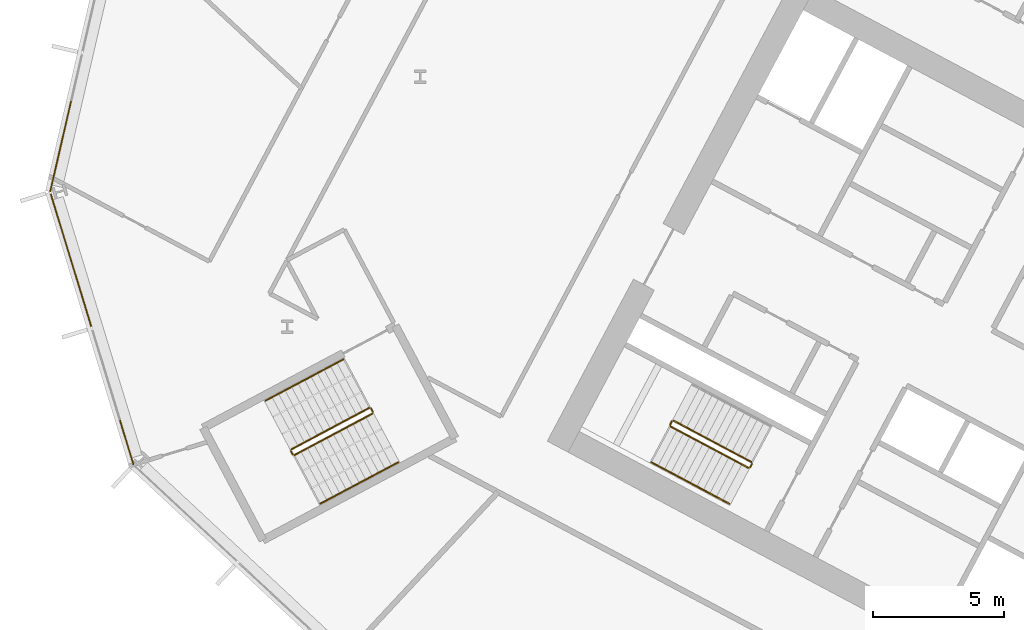
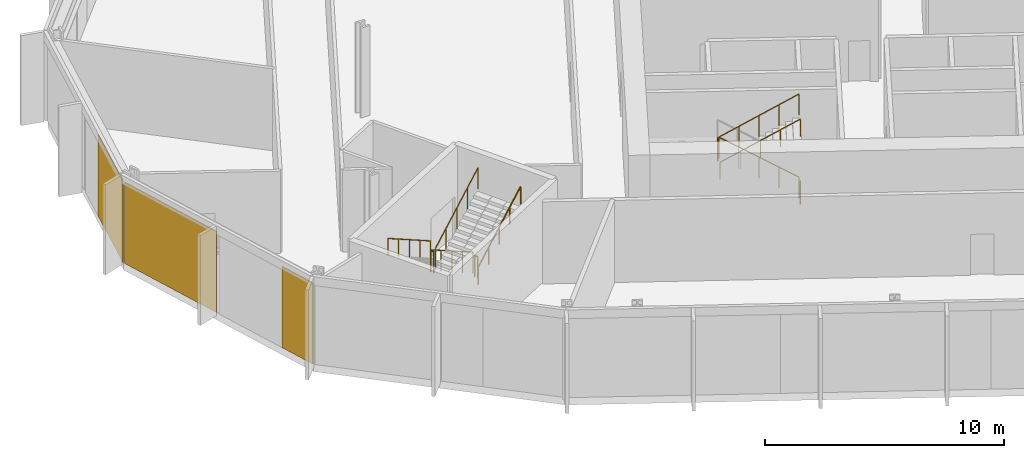
# One storey, part 23 of 31: 11 railings, 3 coverings, 2 elements without a shape of their own.
"""IFC4 building model written with IfcOpenShell, lengths in metres."""

from ifc_helpers import new_model, si_unit, direction, frame, origin, origin_2d, place, context, subcontext, project, spatial, polyline, rectangle, outline, extrude, material, layer, layer_set, type_object, element, aggregate, save


model = new_model("IFC4")

# Units and contexts
model_context = context("Model", 3, precision=1e-05, world=origin(), true_north=direction((0.0, 1.0)))
body_context = subcontext(model_context, "Body", "Model", "MODEL_VIEW")
ifc_project = project(units=[si_unit("LENGTHUNIT", "METRE"), si_unit("AREAUNIT", "SQUARE_METRE"), si_unit("VOLUMEUNIT", "CUBIC_METRE"), si_unit("PLANEANGLEUNIT", "RADIAN"), si_unit("MASSUNIT", "GRAM", prefix="KILO")], contexts=[model_context])

# Site, building, storey
site_placement = place(None, origin())
site = spatial("IfcSite", under=ifc_project, at=site_placement, CompositionType="ELEMENT")
building_placement = place(site_placement, origin())
building = spatial("IfcBuilding", under=site, at=building_placement, Name="Cormorant Relay Tower", CompositionType="ELEMENT")
storey_placement = place(building_placement, frame((0.0, 0.0, 103.0)))
storey = spatial("IfcBuildingStorey", under=building, at=storey_placement, Name="L20", CompositionType="ELEMENT", Elevation=103.0)

# Curtain wall, covering
ifc_material_1 = material(Name="Aluminium 6063-T6 anodised bronze", Category="aluminium")
ifc_layer_1 = layer(ifc_material_1, 0.199951171875)
ifc_layer_set_1 = layer_set([ifc_layer_1], Name="CW1 unitised bronze curtain wall with vertical fins")
curtain_wall_type = type_object("IfcCurtainWallType", Name="CW1 unitised bronze curtain wall with vertical fins", PredefinedType="NOTDEFINED", material=ifc_layer_set_1)
curtain_wall_1_placement = place(storey_placement, origin())
curtain_wall_1 = element("IfcCurtainWall", 1, at=curtain_wall_1_placement, inside=storey, type_object=curtain_wall_type, Name="CW1 curtain wall 11", PredefinedType="NOTDEFINED")
ifc_material_2 = material(Name="Pale bronze anodised aluminium insulated panel", Category="aluminium")
ifc_layer_2 = layer(ifc_material_2, 0.0400390625)
ifc_layer_set_2 = layer_set([ifc_layer_2], Name="CW1 pale bronze insulated panel 40")
covering_type = type_object("IfcCoveringType", Name="CW1 pale bronze insulated panel 40", PredefinedType="CLADDING", material=ifc_layer_set_2)
covering_1_placement = place(storey_placement, frame((-60.3388671875, 22.13232421875, 0.0), z_axis=(0.0, 0.0, 1.0), x_axis=(-0.224951054344, -0.974370064785, 0.0)))
covering_1 = element("IfcCovering", 2, at=covering_1_placement, type_object=covering_type, Name="CW1 panel S02", PredefinedType="CLADDING", context=body_context, shape_type="SweptSolid", body=[
    extrude(rectangle(XDim=3.560302734375, YDim=0.0400390625, at=origin_2d()), origin(), (0.0, 0.0, 1.0), 4.14990234375),
])
aggregate(curtain_wall_1, [covering_1])

# Curtain wall, coverings
curtain_wall_2_placement = place(storey_placement, origin())
curtain_wall_2 = element("IfcCurtainWall", 3, at=curtain_wall_2_placement, inside=storey, type_object=curtain_wall_type, Name="CW1 curtain wall 12", PredefinedType="NOTDEFINED")
covering_2_placement = place(storey_placement, frame((-59.9443359375, 17.78857421875, 0.0), z_axis=(0.0, 0.0, 1.0), x_axis=(0.292371704723, -0.956304755963, 0.0)))
covering_2 = element("IfcCovering", 4, at=covering_2_placement, type_object=covering_type, Name="CW1 panel S00", PredefinedType="CLADDING", context=body_context, shape_type="SweptSolid", body=[
    extrude(rectangle(XDim=5.28515625, YDim=0.0400390625, at=origin_2d()), origin(), (0.0, 0.0, 1.0), 4.14990234375),
])
covering_3_placement = place(storey_placement, frame((-57.818115234375, 10.833740234375, 0.0), z_axis=(0.0, 0.0, 1.0), x_axis=(0.292371704723, -0.956304755963, 0.0)))
covering_3 = element("IfcCovering", 5, at=covering_3_placement, type_object=covering_type, Name="CW1 panel S02", PredefinedType="CLADDING", context=body_context, shape_type="SweptSolid", body=[
    extrude(rectangle(XDim=1.76025390625, YDim=0.0400390625, at=origin_2d()), origin(), (0.0, 0.0, 1.0), 4.14990234375),
])
aggregate(curtain_wall_2, [covering_2, covering_3])

# Railings
ifc_material_3 = material(Name="Steel ASTM A572 Grade 50 (Fy 345 MPa)", Category="steel")
railing_type_1 = type_object("IfcRailingType", Name="Stair guard 1100", PredefinedType="GUARDRAIL", material=ifc_material_3)
railing_1_placement = place(storey_placement, frame((-33.9921875, 10.08935546875, 0.177001953125)))
element("IfcRailing", 6, at=railing_1_placement, inside=storey, type_object=railing_type_1, Name="L20 A2 stair guard 1", PredefinedType="GUARDRAIL", context=body_context, shape_type="SweptSolid", body=[
    extrude(outline(polyline([(0.022216796875, 0.00927734375), (0.00927734375, 0.022216796875), (-0.00927734375, 0.022216796875), (-0.022216796875, 0.00927734375), (-0.022216796875, -0.00927734375), (-0.00927734375, -0.022216796875), (0.00927734375, -0.022216796875), (0.022216796875, -0.00927734375), (0.022216796875, 0.00927734375)])), frame((0.0, 0.0, 1.076171875), z_axis=(-0.746440668329, 0.396869088057, 0.534154711306), x_axis=(-0.46945269911, -0.882957622595, 0.0)), (0.0, 0.0, 1.0), 3.974609375),
    extrude(outline(polyline([(0.019287109375, 0.008056640625), (0.008056640625, 0.019287109375), (-0.008056640625, 0.019287109375), (-0.019287109375, 0.008056640625), (-0.019287109375, -0.008056640625), (-0.008056640625, -0.019287109375), (0.008056640625, -0.019287109375), (0.019287109375, -0.008056640625), (0.019287109375, 0.008056640625)])), origin(), (0.0, 0.0, 1.0), 1.052001953125),
    extrude(outline(polyline([(0.019287109375, 0.008056640625), (0.008056640625, 0.019287109375), (-0.008056640625, 0.019287109375), (-0.019287109375, 0.008056640625), (-0.019287109375, -0.008056640625), (-0.008056640625, -0.019287109375), (0.008056640625, -0.019287109375), (0.019287109375, -0.008056640625), (0.019287109375, 0.008056640625)])), frame((-0.74169921875, 0.394287109375, 0.53076171875)), (0.0, 0.0, 1.0), 1.052001953125),
    extrude(outline(polyline([(0.019287109375, 0.008056640625), (0.008056640625, 0.019287109375), (-0.008056640625, 0.019287109375), (-0.019287109375, 0.008056640625), (-0.019287109375, -0.008056640625), (-0.008056640625, -0.019287109375), (0.008056640625, -0.019287109375), (0.019287109375, -0.008056640625), (0.019287109375, 0.008056640625)])), frame((-1.4833984375, 0.78857421875, 1.0615234375)), (0.0, 0.0, 1.0), 1.052001953125),
    extrude(outline(polyline([(0.019287109375, 0.008056640625), (0.008056640625, 0.019287109375), (-0.008056640625, 0.019287109375), (-0.019287109375, 0.008056640625), (-0.019287109375, -0.008056640625), (-0.008056640625, -0.019287109375), (0.008056640625, -0.019287109375), (0.019287109375, -0.008056640625), (0.019287109375, 0.008056640625)])), frame((-2.22509765625, 1.18310546875, 1.59228515625)), (0.0, 0.0, 1.0), 1.052001953125),
    extrude(outline(polyline([(0.019287109375, 0.008056640625), (0.008056640625, 0.019287109375), (-0.008056640625, 0.019287109375), (-0.019287109375, 0.008056640625), (-0.019287109375, -0.008056640625), (-0.008056640625, -0.019287109375), (0.008056640625, -0.019287109375), (0.019287109375, -0.008056640625), (0.019287109375, 0.008056640625)])), frame((-2.966796875, 1.577392578125, 2.123046875)), (0.0, 0.0, 1.0), 1.052001953125),
])
railing_2_placement = place(storey_placement, frame((-37.026611328125, 11.64599609375, 2.300048828125)))
element("IfcRailing", 7, at=railing_2_placement, inside=storey, type_object=railing_type_1, Name="L20 A2 stair guard 2", PredefinedType="GUARDRAIL", context=body_context, shape_type="SweptSolid", body=[
    extrude(outline(polyline([(0.022216796875, 0.00927734375), (0.00927734375, 0.022216796875), (-0.00927734375, 0.022216796875), (-0.022216796875, 0.00927734375), (-0.022216796875, -0.00927734375), (-0.00927734375, -0.022216796875), (0.00927734375, -0.022216796875), (0.022216796875, -0.00927734375), (0.022216796875, 0.00927734375)])), frame((0.0, 0.0, 1.076171875), z_axis=(-0.469234640946, -0.883073525669, 0.0), x_axis=(0.883073525669, -0.469234640946, 0.0)), (0.0, 0.0, 1.0), 0.14990234375),
    extrude(outline(polyline([(0.019287109375, 0.008056640625), (0.008056640625, 0.019287109375), (-0.008056640625, 0.019287109375), (-0.019287109375, 0.008056640625), (-0.019287109375, -0.008056640625), (-0.008056640625, -0.019287109375), (0.008056640625, -0.019287109375), (0.019287109375, -0.008056640625), (0.019287109375, 0.008056640625)])), origin(), (0.0, 0.0, 1.0), 1.052001953125),
    extrude(outline(polyline([(0.019287109375, 0.008056640625), (0.008056640625, 0.019287109375), (-0.008056640625, 0.019287109375), (-0.019287109375, 0.008056640625), (-0.019287109375, -0.008056640625), (-0.008056640625, -0.019287109375), (0.008056640625, -0.019287109375), (0.019287109375, -0.008056640625), (0.019287109375, 0.008056640625)])), frame((-0.0703125, -0.13232421875, 0.0)), (0.0, 0.0, 1.0), 1.052001953125),
])
railing_3_placement = place(storey_placement, frame((-37.076171875, 11.446044921875, 2.476806640625)))
element("IfcRailing", 8, at=railing_3_placement, inside=storey, type_object=railing_type_1, Name="L20 A2 stair guard 3", PredefinedType="GUARDRAIL", context=body_context, shape_type="SweptSolid", body=[
    extrude(outline(polyline([(0.022216796875, 0.00927734375), (0.00927734375, 0.022216796875), (-0.00927734375, 0.022216796875), (-0.022216796875, 0.00927734375), (-0.022216796875, -0.00927734375), (-0.00927734375, -0.022216796875), (0.00927734375, -0.022216796875), (0.022216796875, -0.00927734375), (0.022216796875, 0.00927734375)])), frame((0.0, 0.0, 1.076171875), z_axis=(0.746388972956, -0.396874261729, 0.534223100798), x_axis=(0.469482818608, 0.88294160794, 0.0)), (0.0, 0.0, 1.0), 3.974609375),
    extrude(outline(polyline([(0.019287109375, 0.008056640625), (0.008056640625, 0.019287109375), (-0.008056640625, 0.019287109375), (-0.019287109375, 0.008056640625), (-0.019287109375, -0.008056640625), (-0.008056640625, -0.019287109375), (0.008056640625, -0.019287109375), (0.019287109375, -0.008056640625), (0.019287109375, 0.008056640625)])), origin(), (0.0, 0.0, 1.0), 1.052001953125),
    extrude(outline(polyline([(0.019287109375, 0.008056640625), (0.008056640625, 0.019287109375), (-0.008056640625, 0.019287109375), (-0.019287109375, 0.008056640625), (-0.019287109375, -0.008056640625), (-0.008056640625, -0.019287109375), (0.008056640625, -0.019287109375), (0.019287109375, -0.008056640625), (0.019287109375, 0.008056640625)])), frame((0.74169921875, -0.394287109375, 0.53076171875)), (0.0, 0.0, 1.0), 1.052001953125),
    extrude(outline(polyline([(0.019287109375, 0.008056640625), (0.008056640625, 0.019287109375), (-0.008056640625, 0.019287109375), (-0.019287109375, 0.008056640625), (-0.019287109375, -0.008056640625), (-0.008056640625, -0.019287109375), (0.008056640625, -0.019287109375), (0.019287109375, -0.008056640625), (0.019287109375, 0.008056640625)])), frame((1.4833984375, -0.78857421875, 1.0615234375)), (0.0, 0.0, 1.0), 1.052001953125),
    extrude(outline(polyline([(0.019287109375, 0.008056640625), (0.008056640625, 0.019287109375), (-0.008056640625, 0.019287109375), (-0.019287109375, 0.008056640625), (-0.019287109375, -0.008056640625), (-0.008056640625, -0.019287109375), (0.008056640625, -0.019287109375), (0.019287109375, -0.008056640625), (0.019287109375, 0.008056640625)])), frame((2.224853515625, -1.18310546875, 1.592529296875)), (0.0, 0.0, 1.0), 1.052001953125),
    extrude(outline(polyline([(0.019287109375, 0.008056640625), (0.008056640625, 0.019287109375), (-0.008056640625, 0.019287109375), (-0.019287109375, 0.008056640625), (-0.019287109375, -0.008056640625), (-0.008056640625, -0.019287109375), (0.008056640625, -0.019287109375), (0.019287109375, -0.008056640625), (0.019287109375, 0.008056640625)])), frame((2.966552734375, -1.577392578125, 2.123291015625)), (0.0, 0.0, 1.0), 1.052001953125),
])
railing_4_placement = place(storey_placement, frame((-33.971435546875, 10.021728515625, 0.0)))
element("IfcRailing", 9, at=railing_4_placement, inside=storey, type_object=railing_type_1, Name="L20 A2 stair guard 4", PredefinedType="GUARDRAIL", context=body_context, shape_type="SweptSolid", body=[
    extrude(outline(polyline([(0.022216796875, 0.00927734375), (0.00927734375, 0.022216796875), (-0.00927734375, 0.022216796875), (-0.022216796875, 0.00927734375), (-0.022216796875, -0.00927734375), (-0.00927734375, -0.022216796875), (0.00927734375, -0.022216796875), (0.022216796875, -0.00927734375), (0.022216796875, 0.00927734375)])), frame((0.0, 0.0, 1.076171875), z_axis=(-0.470503732759, -0.882398003998, 0.0), x_axis=(0.882398003998, -0.470503732759, 0.0)), (0.0, 0.0, 1.0), 0.14990234375),
    extrude(outline(polyline([(0.019287109375, 0.008056640625), (0.008056640625, 0.019287109375), (-0.008056640625, 0.019287109375), (-0.019287109375, 0.008056640625), (-0.019287109375, -0.008056640625), (-0.008056640625, -0.019287109375), (0.008056640625, -0.019287109375), (0.019287109375, -0.008056640625), (0.019287109375, 0.008056640625)])), origin(), (0.0, 0.0, 1.0), 1.052001953125),
    extrude(outline(polyline([(0.019287109375, 0.008056640625), (0.008056640625, 0.019287109375), (-0.008056640625, 0.019287109375), (-0.019287109375, 0.008056640625), (-0.019287109375, -0.008056640625), (-0.008056640625, -0.019287109375), (0.008056640625, -0.019287109375), (0.019287109375, -0.008056640625), (0.019287109375, 0.008056640625)])), frame((-0.070556640625, -0.13232421875, 0.0)), (0.0, 0.0, 1.0), 1.052001953125),
])
railing_5_placement = place(storey_placement, frame((-48.5693359375, 12.155517578125, 0.177001953125)))
element("IfcRailing", 10, at=railing_5_placement, inside=storey, type_object=railing_type_1, Name="L20 RP1 stair guard 1", PredefinedType="GUARDRAIL", context=body_context, shape_type="SweptSolid", body=[
    extrude(outline(polyline([(0.022216796875, 0.00927734375), (0.00927734375, 0.022216796875), (-0.00927734375, 0.022216796875), (-0.022216796875, 0.00927734375), (-0.022216796875, -0.00927734375), (-0.00927734375, -0.022216796875), (0.00927734375, -0.022216796875), (0.022216796875, -0.00927734375), (0.022216796875, 0.00927734375)])), frame((0.0, 0.0, 1.076171875), z_axis=(-0.746422470992, -0.396920836698, 0.534141689248), x_axis=(0.469509342547, -0.882927503967, 0.0)), (0.0, 0.0, 1.0), 3.974609375),
    extrude(outline(polyline([(0.019287109375, 0.008056640625), (0.008056640625, 0.019287109375), (-0.008056640625, 0.019287109375), (-0.019287109375, 0.008056640625), (-0.019287109375, -0.008056640625), (-0.008056640625, -0.019287109375), (0.008056640625, -0.019287109375), (0.019287109375, -0.008056640625), (0.019287109375, 0.008056640625)])), origin(), (0.0, 0.0, 1.0), 1.052001953125),
    extrude(outline(polyline([(0.019287109375, 0.008056640625), (0.008056640625, 0.019287109375), (-0.008056640625, 0.019287109375), (-0.019287109375, 0.008056640625), (-0.019287109375, -0.008056640625), (-0.008056640625, -0.019287109375), (0.008056640625, -0.019287109375), (0.019287109375, -0.008056640625), (0.019287109375, 0.008056640625)])), frame((-0.74169921875, -0.39453125, 0.53076171875)), (0.0, 0.0, 1.0), 1.052001953125),
    extrude(outline(polyline([(0.019287109375, 0.008056640625), (0.008056640625, 0.019287109375), (-0.008056640625, 0.019287109375), (-0.019287109375, 0.008056640625), (-0.019287109375, -0.008056640625), (-0.008056640625, -0.019287109375), (0.008056640625, -0.019287109375), (0.019287109375, -0.008056640625), (0.019287109375, 0.008056640625)])), frame((-1.4833984375, -0.788818359375, 1.0615234375)), (0.0, 0.0, 1.0), 1.052001953125),
    extrude(outline(polyline([(0.019287109375, 0.008056640625), (0.008056640625, 0.019287109375), (-0.008056640625, 0.019287109375), (-0.019287109375, 0.008056640625), (-0.019287109375, -0.008056640625), (-0.008056640625, -0.019287109375), (0.008056640625, -0.019287109375), (0.019287109375, -0.008056640625), (0.019287109375, 0.008056640625)])), frame((-2.22509765625, -1.18310546875, 1.59228515625)), (0.0, 0.0, 1.0), 1.052001953125),
    extrude(outline(polyline([(0.019287109375, 0.008056640625), (0.008056640625, 0.019287109375), (-0.008056640625, 0.019287109375), (-0.019287109375, 0.008056640625), (-0.019287109375, -0.008056640625), (-0.008056640625, -0.019287109375), (0.008056640625, -0.019287109375), (0.019287109375, -0.008056640625), (0.019287109375, 0.008056640625)])), frame((-2.966796875, -1.57763671875, 2.123046875)), (0.0, 0.0, 1.0), 1.052001953125),
])
railing_6_placement = place(storey_placement, frame((-51.556640625, 10.51025390625, 2.300048828125)))
element("IfcRailing", 11, at=railing_6_placement, inside=storey, type_object=railing_type_1, Name="L20 RP1 stair guard 2", PredefinedType="GUARDRAIL", context=body_context, shape_type="SweptSolid", body=[
    extrude(outline(polyline([(0.022216796875, 0.00927734375), (0.00927734375, 0.022216796875), (-0.00927734375, 0.022216796875), (-0.022216796875, 0.00927734375), (-0.022216796875, -0.00927734375), (-0.00927734375, -0.022216796875), (0.00927734375, -0.022216796875), (0.022216796875, -0.00927734375), (0.022216796875, 0.00927734375)])), frame((0.0, 0.0, 1.076171875), z_axis=(0.469234640946, -0.883073525669, 0.0), x_axis=(0.883073525669, 0.469234640946, 0.0)), (0.0, 0.0, 1.0), 0.14990234375),
    extrude(outline(polyline([(0.019287109375, 0.008056640625), (0.008056640625, 0.019287109375), (-0.008056640625, 0.019287109375), (-0.019287109375, 0.008056640625), (-0.019287109375, -0.008056640625), (-0.008056640625, -0.019287109375), (0.008056640625, -0.019287109375), (0.019287109375, -0.008056640625), (0.019287109375, 0.008056640625)])), origin(), (0.0, 0.0, 1.0), 1.052001953125),
    extrude(outline(polyline([(0.019287109375, 0.008056640625), (0.008056640625, 0.019287109375), (-0.008056640625, 0.019287109375), (-0.019287109375, 0.008056640625), (-0.019287109375, -0.008056640625), (-0.008056640625, -0.019287109375), (0.008056640625, -0.019287109375), (0.019287109375, -0.008056640625), (0.019287109375, 0.008056640625)])), frame((0.0703125, -0.13232421875, 0.0)), (0.0, 0.0, 1.0), 1.052001953125),
])
railing_7_placement = place(storey_placement, frame((-51.418701171875, 10.357177734375, 2.476806640625)))
element("IfcRailing", 12, at=railing_7_placement, inside=storey, type_object=railing_type_1, Name="L20 RP1 stair guard 3", PredefinedType="GUARDRAIL", context=body_context, shape_type="SweptSolid", body=[
    extrude(outline(polyline([(0.022216796875, 0.00927734375), (0.00927734375, 0.022216796875), (-0.00927734375, 0.022216796875), (-0.022216796875, 0.00927734375), (-0.022216796875, -0.00927734375), (-0.00927734375, -0.022216796875), (0.00927734375, -0.022216796875), (0.022216796875, -0.00927734375), (0.022216796875, 0.00927734375)])), frame((0.0, 0.0, 1.076171875), z_axis=(0.746416176936, 0.396856066424, 0.534198608526), x_axis=(-0.46945269911, 0.882957622595, 0.0)), (0.0, 0.0, 1.0), 3.974609375),
    extrude(outline(polyline([(0.019287109375, 0.008056640625), (0.008056640625, 0.019287109375), (-0.008056640625, 0.019287109375), (-0.019287109375, 0.008056640625), (-0.019287109375, -0.008056640625), (-0.008056640625, -0.019287109375), (0.008056640625, -0.019287109375), (0.019287109375, -0.008056640625), (0.019287109375, 0.008056640625)])), origin(), (0.0, 0.0, 1.0), 1.052001953125),
    extrude(outline(polyline([(0.019287109375, 0.008056640625), (0.008056640625, 0.019287109375), (-0.008056640625, 0.019287109375), (-0.019287109375, 0.008056640625), (-0.019287109375, -0.008056640625), (-0.008056640625, -0.019287109375), (0.008056640625, -0.019287109375), (0.019287109375, -0.008056640625), (0.019287109375, 0.008056640625)])), frame((0.74169921875, 0.394287109375, 0.53076171875)), (0.0, 0.0, 1.0), 1.052001953125),
    extrude(outline(polyline([(0.019287109375, 0.008056640625), (0.008056640625, 0.019287109375), (-0.008056640625, 0.019287109375), (-0.019287109375, 0.008056640625), (-0.019287109375, -0.008056640625), (-0.008056640625, -0.019287109375), (0.008056640625, -0.019287109375), (0.019287109375, -0.008056640625), (0.019287109375, 0.008056640625)])), frame((1.4833984375, 0.78857421875, 1.0615234375)), (0.0, 0.0, 1.0), 1.052001953125),
    extrude(outline(polyline([(0.019287109375, 0.008056640625), (0.008056640625, 0.019287109375), (-0.008056640625, 0.019287109375), (-0.019287109375, 0.008056640625), (-0.019287109375, -0.008056640625), (-0.008056640625, -0.019287109375), (0.008056640625, -0.019287109375), (0.019287109375, -0.008056640625), (0.019287109375, 0.008056640625)])), frame((2.22509765625, 1.18310546875, 1.592529296875)), (0.0, 0.0, 1.0), 1.052001953125),
    extrude(outline(polyline([(0.019287109375, 0.008056640625), (0.008056640625, 0.019287109375), (-0.008056640625, 0.019287109375), (-0.019287109375, 0.008056640625), (-0.019287109375, -0.008056640625), (-0.008056640625, -0.019287109375), (0.008056640625, -0.019287109375), (0.019287109375, -0.008056640625), (0.019287109375, 0.008056640625)])), frame((2.966796875, 1.577392578125, 2.123291015625)), (0.0, 0.0, 1.0), 1.052001953125),
])
railing_8_placement = place(storey_placement, frame((-48.501708984375, 12.134765625, 0.0)))
element("IfcRailing", 13, at=railing_8_placement, inside=storey, type_object=railing_type_1, Name="L20 RP1 stair guard 4", PredefinedType="GUARDRAIL", context=body_context, shape_type="SweptSolid", body=[
    extrude(outline(polyline([(0.022216796875, 0.00927734375), (0.00927734375, 0.022216796875), (-0.00927734375, 0.022216796875), (-0.022216796875, 0.00927734375), (-0.022216796875, -0.00927734375), (-0.00927734375, -0.022216796875), (0.00927734375, -0.022216796875), (0.022216796875, -0.00927734375), (0.022216796875, 0.00927734375)])), frame((0.0, 0.0, 1.076171875), z_axis=(0.46856034887, -0.8834314911, 0.0), x_axis=(0.8834314911, 0.46856034887, 0.0)), (0.0, 0.0, 1.0), 0.150146484375),
    extrude(outline(polyline([(0.019287109375, 0.008056640625), (0.008056640625, 0.019287109375), (-0.008056640625, 0.019287109375), (-0.019287109375, 0.008056640625), (-0.019287109375, -0.008056640625), (-0.008056640625, -0.019287109375), (0.008056640625, -0.019287109375), (0.019287109375, -0.008056640625), (0.019287109375, 0.008056640625)])), origin(), (0.0, 0.0, 1.0), 1.052001953125),
    extrude(outline(polyline([(0.019287109375, 0.008056640625), (0.008056640625, 0.019287109375), (-0.008056640625, 0.019287109375), (-0.019287109375, 0.008056640625), (-0.019287109375, -0.008056640625), (-0.008056640625, -0.019287109375), (0.008056640625, -0.019287109375), (0.019287109375, -0.008056640625), (0.019287109375, 0.008056640625)])), frame((0.0703125, -0.132568359375, 0.0)), (0.0, 0.0, 1.0), 1.052001953125),
])
ifc_material_4 = material(Name="Steel ASTM A572 Grade 50 (Fy 345 MPa)", Category="steel")
railing_type_2 = type_object("IfcRailingType", Name="Stair handrail 900", PredefinedType="HANDRAIL", material=ifc_material_4)
railing_9_placement = place(storey_placement, frame((-37.803955078125, 10.077392578125, 2.476806640625)))
element("IfcRailing", 14, at=railing_9_placement, inside=storey, type_object=railing_type_2, Name="L20 A2 stair handrail 2", PredefinedType="HANDRAIL", context=body_context, shape_type="SweptSolid", body=[
    extrude(outline(polyline([(0.022216796875, 0.00927734375), (0.00927734375, 0.022216796875), (-0.00927734375, 0.022216796875), (-0.022216796875, 0.00927734375), (-0.022216796875, -0.00927734375), (-0.00927734375, -0.022216796875), (0.00927734375, -0.022216796875), (0.022216796875, -0.00927734375), (0.022216796875, 0.00927734375)])), frame((0.0, 0.0, 0.8759765625), z_axis=(0.746416176936, -0.396856066424, 0.534198608526), x_axis=(0.46945269911, 0.882957622595, 0.0)), (0.0, 0.0, 1.0), 3.974609375),
    extrude(outline(polyline([(0.019287109375, 0.008056640625), (0.008056640625, 0.019287109375), (-0.008056640625, 0.019287109375), (-0.019287109375, 0.008056640625), (-0.019287109375, -0.008056640625), (-0.008056640625, -0.019287109375), (0.008056640625, -0.019287109375), (0.019287109375, -0.008056640625), (0.019287109375, 0.008056640625)])), origin(), (0.0, 0.0, 1.0), 0.851806640625),
    extrude(outline(polyline([(0.019287109375, 0.008056640625), (0.008056640625, 0.019287109375), (-0.008056640625, 0.019287109375), (-0.019287109375, 0.008056640625), (-0.019287109375, -0.008056640625), (-0.008056640625, -0.019287109375), (0.008056640625, -0.019287109375), (0.019287109375, -0.008056640625), (0.019287109375, 0.008056640625)])), frame((0.74169921875, -0.394287109375, 0.53076171875)), (0.0, 0.0, 1.0), 0.851806640625),
    extrude(outline(polyline([(0.019287109375, 0.008056640625), (0.008056640625, 0.019287109375), (-0.008056640625, 0.019287109375), (-0.019287109375, 0.008056640625), (-0.019287109375, -0.008056640625), (-0.008056640625, -0.019287109375), (0.008056640625, -0.019287109375), (0.019287109375, -0.008056640625), (0.019287109375, 0.008056640625)])), frame((1.4833984375, -0.78857421875, 1.0615234375)), (0.0, 0.0, 1.0), 0.851806640625),
    extrude(outline(polyline([(0.019287109375, 0.008056640625), (0.008056640625, 0.019287109375), (-0.008056640625, 0.019287109375), (-0.019287109375, 0.008056640625), (-0.019287109375, -0.008056640625), (-0.008056640625, -0.019287109375), (0.008056640625, -0.019287109375), (0.019287109375, -0.008056640625), (0.019287109375, 0.008056640625)])), frame((2.22509765625, -1.18310546875, 1.592529296875)), (0.0, 0.0, 1.0), 0.851806640625),
    extrude(outline(polyline([(0.019287109375, 0.008056640625), (0.008056640625, 0.019287109375), (-0.008056640625, 0.019287109375), (-0.019287109375, 0.008056640625), (-0.019287109375, -0.008056640625), (-0.008056640625, -0.019287109375), (0.008056640625, -0.019287109375), (0.019287109375, -0.008056640625), (0.019287109375, 0.008056640625)])), frame((2.966796875, -1.577392578125, 2.123291015625)), (0.0, 0.0, 1.0), 0.851806640625),
])
railing_10_placement = place(storey_placement, frame((-49.55517578125, 14.009521484375, 0.177001953125)))
element("IfcRailing", 15, at=railing_10_placement, inside=storey, type_object=railing_type_2, Name="L20 RP1 stair handrail 1", PredefinedType="HANDRAIL", context=body_context, shape_type="SweptSolid", body=[
    extrude(outline(polyline([(0.022216796875, 0.00927734375), (0.00927734375, 0.022216796875), (-0.00927734375, 0.022216796875), (-0.022216796875, 0.00927734375), (-0.022216796875, -0.00927734375), (-0.00927734375, -0.022216796875), (0.00927734375, -0.022216796875), (0.022216796875, -0.00927734375), (0.022216796875, 0.00927734375)])), frame((0.0, 0.0, 0.8759765625), z_axis=(-0.746440668329, -0.396869088057, 0.534154711306), x_axis=(0.46945269911, -0.882957622595, 0.0)), (0.0, 0.0, 1.0), 3.974609375),
    extrude(outline(polyline([(0.019287109375, 0.008056640625), (0.008056640625, 0.019287109375), (-0.008056640625, 0.019287109375), (-0.019287109375, 0.008056640625), (-0.019287109375, -0.008056640625), (-0.008056640625, -0.019287109375), (0.008056640625, -0.019287109375), (0.019287109375, -0.008056640625), (0.019287109375, 0.008056640625)])), origin(), (0.0, 0.0, 1.0), 0.851806640625),
    extrude(outline(polyline([(0.019287109375, 0.008056640625), (0.008056640625, 0.019287109375), (-0.008056640625, 0.019287109375), (-0.019287109375, 0.008056640625), (-0.019287109375, -0.008056640625), (-0.008056640625, -0.019287109375), (0.008056640625, -0.019287109375), (0.019287109375, -0.008056640625), (0.019287109375, 0.008056640625)])), frame((-0.74169921875, -0.394287109375, 0.53076171875)), (0.0, 0.0, 1.0), 0.851806640625),
    extrude(outline(polyline([(0.019287109375, 0.008056640625), (0.008056640625, 0.019287109375), (-0.008056640625, 0.019287109375), (-0.019287109375, 0.008056640625), (-0.019287109375, -0.008056640625), (-0.008056640625, -0.019287109375), (0.008056640625, -0.019287109375), (0.019287109375, -0.008056640625), (0.019287109375, 0.008056640625)])), frame((-1.4833984375, -0.78857421875, 1.0615234375)), (0.0, 0.0, 1.0), 0.851806640625),
    extrude(outline(polyline([(0.019287109375, 0.008056640625), (0.008056640625, 0.019287109375), (-0.008056640625, 0.019287109375), (-0.019287109375, 0.008056640625), (-0.019287109375, -0.008056640625), (-0.008056640625, -0.019287109375), (0.008056640625, -0.019287109375), (0.019287109375, -0.008056640625), (0.019287109375, 0.008056640625)])), frame((-2.22509765625, -1.18310546875, 1.59228515625)), (0.0, 0.0, 1.0), 0.851806640625),
    extrude(outline(polyline([(0.019287109375, 0.008056640625), (0.008056640625, 0.019287109375), (-0.008056640625, 0.019287109375), (-0.019287109375, 0.008056640625), (-0.019287109375, -0.008056640625), (-0.008056640625, -0.019287109375), (0.008056640625, -0.019287109375), (0.019287109375, -0.008056640625), (0.019287109375, 0.008056640625)])), frame((-2.966796875, -1.577392578125, 2.123046875)), (0.0, 0.0, 1.0), 0.851806640625),
])
railing_11_placement = place(storey_placement, frame((-50.432861328125, 8.503173828125, 2.476806640625)))
element("IfcRailing", 16, at=railing_11_placement, inside=storey, type_object=railing_type_2, Name="L20 RP1 stair handrail 2", PredefinedType="HANDRAIL", context=body_context, shape_type="SweptSolid", body=[
    extrude(outline(polyline([(0.022216796875, 0.00927734375), (0.00927734375, 0.022216796875), (-0.00927734375, 0.022216796875), (-0.022216796875, 0.00927734375), (-0.022216796875, -0.00927734375), (-0.00927734375, -0.022216796875), (0.00927734375, -0.022216796875), (0.022216796875, -0.00927734375), (0.022216796875, 0.00927734375)])), frame((0.0, 0.0, 0.8759765625), z_axis=(0.746416176936, 0.396856066424, 0.534198608526), x_axis=(-0.46945269911, 0.882957622595, 0.0)), (0.0, 0.0, 1.0), 3.974609375),
    extrude(outline(polyline([(0.019287109375, 0.008056640625), (0.008056640625, 0.019287109375), (-0.008056640625, 0.019287109375), (-0.019287109375, 0.008056640625), (-0.019287109375, -0.008056640625), (-0.008056640625, -0.019287109375), (0.008056640625, -0.019287109375), (0.019287109375, -0.008056640625), (0.019287109375, 0.008056640625)])), origin(), (0.0, 0.0, 1.0), 0.851806640625),
    extrude(outline(polyline([(0.019287109375, 0.008056640625), (0.008056640625, 0.019287109375), (-0.008056640625, 0.019287109375), (-0.019287109375, 0.008056640625), (-0.019287109375, -0.008056640625), (-0.008056640625, -0.019287109375), (0.008056640625, -0.019287109375), (0.019287109375, -0.008056640625), (0.019287109375, 0.008056640625)])), frame((0.74169921875, 0.394287109375, 0.53076171875)), (0.0, 0.0, 1.0), 0.851806640625),
    extrude(outline(polyline([(0.019287109375, 0.008056640625), (0.008056640625, 0.019287109375), (-0.008056640625, 0.019287109375), (-0.019287109375, 0.008056640625), (-0.019287109375, -0.008056640625), (-0.008056640625, -0.019287109375), (0.008056640625, -0.019287109375), (0.019287109375, -0.008056640625), (0.019287109375, 0.008056640625)])), frame((1.4833984375, 0.78857421875, 1.0615234375)), (0.0, 0.0, 1.0), 0.851806640625),
    extrude(outline(polyline([(0.019287109375, 0.008056640625), (0.008056640625, 0.019287109375), (-0.008056640625, 0.019287109375), (-0.019287109375, 0.008056640625), (-0.019287109375, -0.008056640625), (-0.008056640625, -0.019287109375), (0.008056640625, -0.019287109375), (0.019287109375, -0.008056640625), (0.019287109375, 0.008056640625)])), frame((2.22509765625, 1.18310546875, 1.592529296875)), (0.0, 0.0, 1.0), 0.851806640625),
    extrude(outline(polyline([(0.019287109375, 0.008056640625), (0.008056640625, 0.019287109375), (-0.008056640625, 0.019287109375), (-0.019287109375, 0.008056640625), (-0.019287109375, -0.008056640625), (-0.008056640625, -0.019287109375), (0.008056640625, -0.019287109375), (0.019287109375, -0.008056640625), (0.019287109375, 0.008056640625)])), frame((2.966796875, 1.577392578125, 2.123291015625)), (0.0, 0.0, 1.0), 0.851806640625),
])

save(model, "model.ifc")
